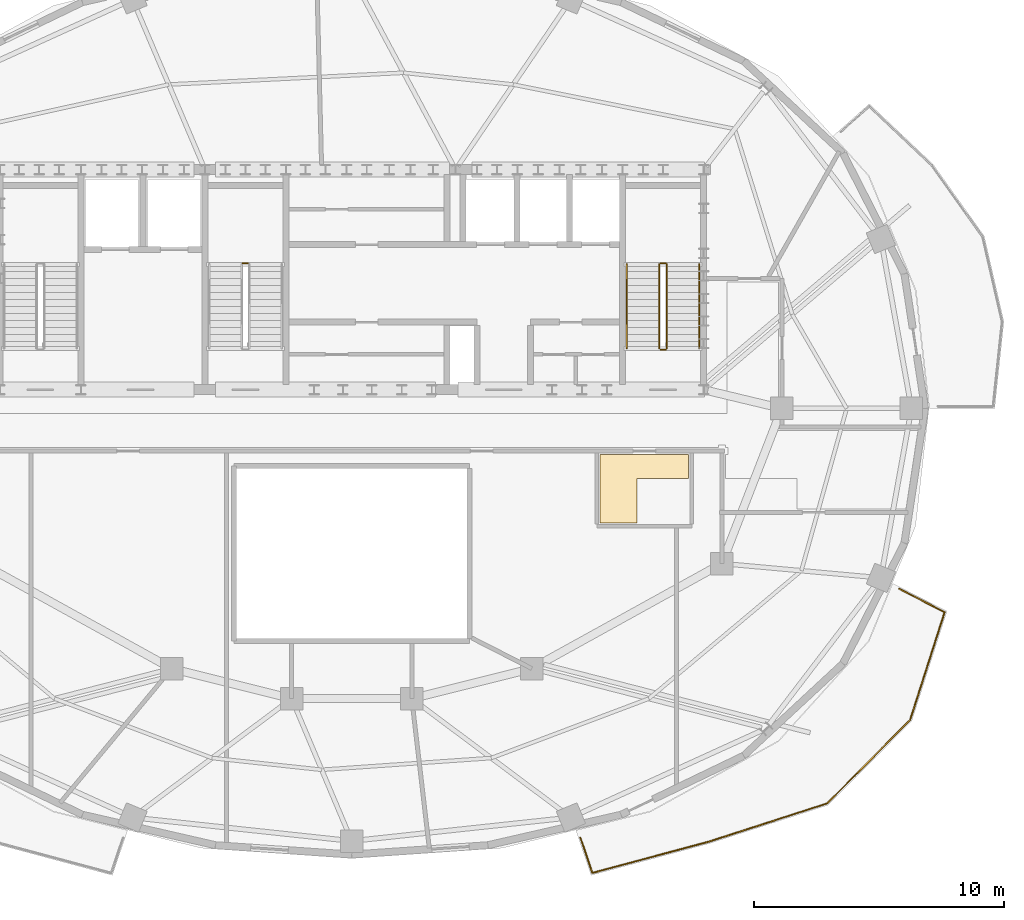
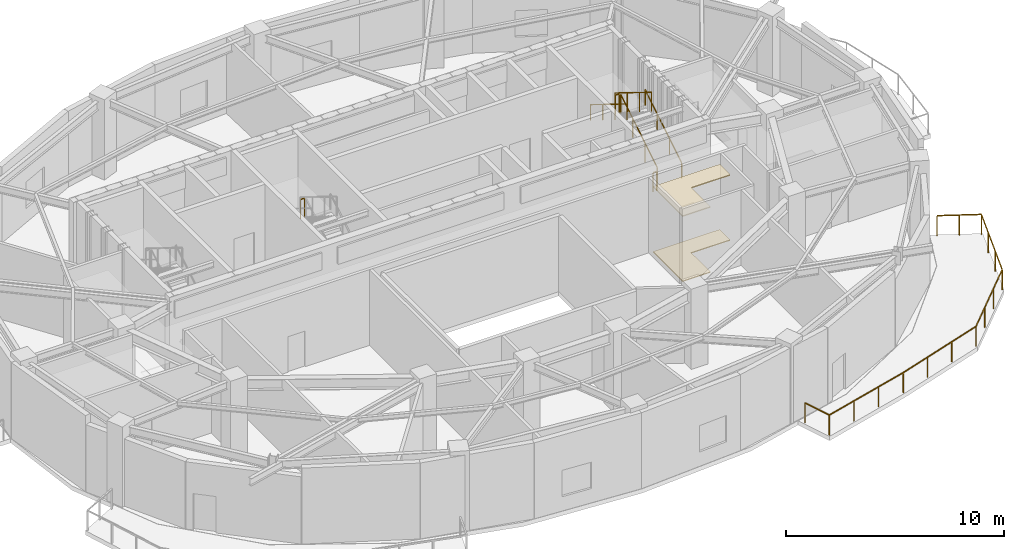
# One storey, part 8 of 9: 8 railings, 2 coverings.
"""IFC4 building model written with IfcOpenShell, lengths in metres."""

from ifc_helpers import new_model, si_unit, direction, frame, origin, origin_2d, place, context, subcontext, project, spatial, polyline, rectangle, outline, extrude, material, layer, layer_set, type_object, element, save


model = new_model("IFC4")

# Units and contexts
model_context = context("Model", 3, precision=1e-05, world=origin(), true_north=direction((0.0, 1.0)))
body_context = subcontext(model_context, "Body", "Model", "MODEL_VIEW")
ifc_project = project(units=[si_unit("LENGTHUNIT", "METRE"), si_unit("AREAUNIT", "SQUARE_METRE"), si_unit("VOLUMEUNIT", "CUBIC_METRE"), si_unit("PLANEANGLEUNIT", "RADIAN"), si_unit("MASSUNIT", "GRAM", prefix="KILO")], contexts=[model_context])

# Site, building, storey
site_placement = place(None, origin())
site = spatial("IfcSite", under=ifc_project, at=site_placement, CompositionType="ELEMENT")
building_placement = place(site_placement, origin())
building = spatial("IfcBuilding", under=site, at=building_placement, Name="Haldorwick Loom Tower", CompositionType="ELEMENT")
storey_placement = place(building_placement, frame((0.0, 0.0, 277.5)))
storey = spatial("IfcBuildingStorey", under=building, at=storey_placement, Name="L75", CompositionType="ELEMENT", Elevation=277.5)

# Coverings
ifc_material_1 = material(Name="Mineral Fibre Acoustic Ceiling Tile")
ifc_layer_1 = layer(ifc_material_1, 0.054931640625, Name="Mineral Fibre Acoustic Ceiling Tile")
ifc_layer_set_1 = layer_set([ifc_layer_1], Name="Mineral Fibre Acoustic Ceiling Tile")
covering_type_1 = type_object("IfcCoveringType", Name="ARC-COV-CEIL2", PredefinedType="CEILING", material=ifc_layer_set_1)
covering_1_placement = place(storey_placement, frame((0.0, 0.0, 3.64501953125)))
element("IfcCovering", 1, at=covering_1_placement, inside=storey, type_object=covering_type_1, Name="L75 Acoustic Suspended Ceiling 2", PredefinedType="CEILING", context=body_context, shape_type="SweptSolid", body=[
    extrude(outline(polyline([(45.929931640625, 24.159912109375), (45.929931640625, 21.429931640625), (47.39990234375, 21.429931640625), (47.39990234375, 23.199951171875), (49.469970703125, 23.199951171875), (49.469970703125, 24.159912109375), (45.929931640625, 24.159912109375)])), origin(), (0.0, 0.0, 1.0), 0.054931640625),
])
ifc_material_2 = material(Name="Polished Aggregate Terrazzo Finish")
ifc_layer_2 = layer(ifc_material_2, 0.044921875, Name="Polished Aggregate Terrazzo Finish")
ifc_layer_set_2 = layer_set([ifc_layer_2], Name="Polished Aggregate Terrazzo Finish")
covering_type_2 = type_object("IfcCoveringType", Name="ARC-COV-FLOOR2", PredefinedType="FLOORING", material=ifc_layer_set_2)
covering_2_placement = place(storey_placement, origin())
element("IfcCovering", 2, at=covering_2_placement, inside=storey, type_object=covering_type_2, Name="L75 Floor Finish 2", PredefinedType="FLOORING", context=body_context, shape_type="SweptSolid", body=[
    extrude(outline(polyline([(45.929931640625, 24.159912109375), (45.929931640625, 21.429931640625), (47.39990234375, 21.429931640625), (47.39990234375, 23.199951171875), (49.469970703125, 23.199951171875), (49.469970703125, 24.159912109375), (45.929931640625, 24.159912109375)])), origin(), (0.0, 0.0, 1.0), 0.044921875),
])

# Railings
ifc_material_3 = material(Name="Galvanized Steel CSA G40.21 350W", Category="steel")
railing_type_1 = type_object("IfcRailingType", Name="ARC-RLG-BAL115", PredefinedType="BALUSTRADE", material=ifc_material_3)
railing_1_placement = place(storey_placement, frame((57.895751953125, 18.783447265625, 0.0)))
element("IfcRailing", 3, at=railing_1_placement, inside=storey, type_object=railing_type_1, Name="L75 Outdoor Terrace Guardrail SLB-L75-BAL_SE-1", PredefinedType="BALUSTRADE", context=body_context, shape_type="SweptSolid", body=[
    extrude(rectangle(XDim=0.048095703125, YDim=0.048095703125, at=origin_2d()), frame((0.0, 0.0, 1.1259765625), z_axis=(0.890020821912, -0.455919879544, 0.0), x_axis=(0.455919879544, 0.890020821912, 0.0)), (0.0, 0.0, 1.0), 2.036376953125),
    extrude(rectangle(XDim=0.048095703125, YDim=0.048095703125, at=origin_2d()), frame((1.8125, -0.928466796875, 1.1259765625), z_axis=(-0.30559000115, -0.952163195674, 0.0), x_axis=(0.952163195674, -0.30559000115, 0.0)), (0.0, 0.0, 1.0), 4.525146484375),
    extrude(rectangle(XDim=0.048095703125, YDim=0.048095703125, at=origin_2d()), frame((0.4296875, -5.237060546875, 1.1259765625), z_axis=(-0.704897291713, -0.709309388163, 0.0), x_axis=(0.709309388163, -0.704897291713, 0.0)), (0.0, 0.0, 1.0), 4.703369140625),
    extrude(rectangle(XDim=0.048095703125, YDim=0.048095703125, at=origin_2d()), frame((-2.8857421875, -8.5732421875, 1.1259765625), z_axis=(-0.951479084086, -0.307713426011, 0.0), x_axis=(0.307713426011, -0.951479084086, 0.0)), (0.0, 0.0, 1.0), 4.988037109375),
    extrude(rectangle(XDim=0.048095703125, YDim=0.048095703125, at=origin_2d()), frame((-7.6318359375, -10.108154296875, 1.1259765625), z_axis=(-0.965840976941, -0.259135499808, 0.0), x_axis=(0.259135499808, -0.965840976941, 0.0)), (0.0, 0.0, 1.0), 4.806884765625),
    extrude(rectangle(XDim=0.048095703125, YDim=0.048095703125, at=origin_2d()), frame((-12.2744140625, -11.353759765625, 1.1259765625), z_axis=(-0.321946971986, 0.946757702493, 0.0), x_axis=(-0.946757702493, -0.321946971986, 0.0)), (0.0, 0.0, 1.0), 1.484130859375),
    extrude(rectangle(XDim=0.0419921875, YDim=0.0419921875, at=origin_2d()), origin(), (0.0, 0.0, 1.0), 1.101806640625),
    extrude(rectangle(XDim=0.0419921875, YDim=0.0419921875, at=origin_2d()), frame((0.90625, -0.46435546875, 0.0)), (0.0, 0.0, 1.0), 1.101806640625),
    extrude(rectangle(XDim=0.0419921875, YDim=0.0419921875, at=origin_2d()), frame((1.8125, -0.928466796875, 0.0)), (0.0, 0.0, 1.0), 1.101806640625),
    extrude(rectangle(XDim=0.0419921875, YDim=0.0419921875, at=origin_2d()), frame((1.3515625, -2.36474609375, 0.0)), (0.0, 0.0, 1.0), 1.101806640625),
    extrude(rectangle(XDim=0.0419921875, YDim=0.0419921875, at=origin_2d()), frame((0.890625, -3.80078125, 0.0)), (0.0, 0.0, 1.0), 1.101806640625),
    extrude(rectangle(XDim=0.0419921875, YDim=0.0419921875, at=origin_2d()), frame((0.4296875, -5.237060546875, 0.0)), (0.0, 0.0, 1.0), 1.101806640625),
    extrude(rectangle(XDim=0.0419921875, YDim=0.0419921875, at=origin_2d()), frame((-0.675537109375, -6.34912109375, 0.0)), (0.0, 0.0, 1.0), 1.101806640625),
    extrude(rectangle(XDim=0.0419921875, YDim=0.0419921875, at=origin_2d()), frame((-1.780517578125, -7.461181640625, 0.0)), (0.0, 0.0, 1.0), 1.101806640625),
    extrude(rectangle(XDim=0.0419921875, YDim=0.0419921875, at=origin_2d()), frame((-2.8857421875, -8.5732421875, 0.0)), (0.0, 0.0, 1.0), 1.101806640625),
    extrude(rectangle(XDim=0.0419921875, YDim=0.0419921875, at=origin_2d()), frame((-4.4677734375, -9.0849609375, 0.0)), (0.0, 0.0, 1.0), 1.101806640625),
    extrude(rectangle(XDim=0.0419921875, YDim=0.0419921875, at=origin_2d()), frame((-6.0498046875, -9.596435546875, 0.0)), (0.0, 0.0, 1.0), 1.101806640625),
    extrude(rectangle(XDim=0.0419921875, YDim=0.0419921875, at=origin_2d()), frame((-7.6318359375, -10.108154296875, 0.0)), (0.0, 0.0, 1.0), 1.101806640625),
    extrude(rectangle(XDim=0.0419921875, YDim=0.0419921875, at=origin_2d()), frame((-9.179443359375, -10.5234375, 0.0)), (0.0, 0.0, 1.0), 1.101806640625),
    extrude(rectangle(XDim=0.0419921875, YDim=0.0419921875, at=origin_2d()), frame((-10.726806640625, -10.9384765625, 0.0)), (0.0, 0.0, 1.0), 1.101806640625),
    extrude(rectangle(XDim=0.0419921875, YDim=0.0419921875, at=origin_2d()), frame((-12.2744140625, -11.353759765625, 0.0)), (0.0, 0.0, 1.0), 1.101806640625),
    extrude(rectangle(XDim=0.0419921875, YDim=0.0419921875, at=origin_2d()), frame((-12.752197265625, -9.94873046875, 0.0)), (0.0, 0.0, 1.0), 1.101806640625),
])
ifc_material_4 = material(Name="Steel CSA G40.21 350W", Category="steel")
railing_type_2 = type_object("IfcRailingType", Name="ARC-RLG-GUARD112", PredefinedType="GUARDRAIL", material=ifc_material_4)
railing_2_placement = place(storey_placement, frame((48.60009765625, 28.39990234375, 0.173095703125)))
element("IfcRailing", 4, at=railing_2_placement, inside=storey, type_object=railing_type_2, Name="L75 ST-02 stair guard 1", PredefinedType="GUARDRAIL", context=body_context, shape_type="SweptSolid", body=[
    extrude(rectangle(XDim=0.048095703125, YDim=0.048095703125, at=origin_2d()), frame((0.0, 0.0, 1.076171875), z_axis=(0.0, 0.850623216509, 0.525775754039), x_axis=(-1.0, 0.0, 0.0)), (0.0, 0.0, 1.0), 3.9501953125),
    extrude(rectangle(XDim=0.0419921875, YDim=0.0419921875, at=origin_2d()), origin(), (0.0, 0.0, 1.0), 1.052001953125),
    extrude(rectangle(XDim=0.0419921875, YDim=0.0419921875, at=origin_2d()), frame((0.0, 1.1201171875, 0.6923828125)), (0.0, 0.0, 1.0), 1.052001953125),
    extrude(rectangle(XDim=0.0419921875, YDim=0.0419921875, at=origin_2d()), frame((0.0, 2.239990234375, 1.384521484375)), (0.0, 0.0, 1.0), 1.052001953125),
    extrude(rectangle(XDim=0.0419921875, YDim=0.0419921875, at=origin_2d()), frame((0.0, 3.360107421875, 2.076904296875)), (0.0, 0.0, 1.0), 1.052001953125),
])
railing_3_placement = place(storey_placement, frame((48.550048828125, 31.81005859375, 2.25)))
element("IfcRailing", 5, at=railing_3_placement, inside=storey, type_object=railing_type_2, Name="L75 ST-02 stair guard 2", PredefinedType="GUARDRAIL", context=body_context, shape_type="SweptSolid", body=[
    extrude(rectangle(XDim=0.048095703125, YDim=0.048095703125, at=origin_2d()), frame((0.0, 0.0, 1.076171875), z_axis=(-1.0, 0.0, 0.0), x_axis=(0.0, -1.0, 0.0)), (0.0, 0.0, 1.0), 0.199951171875),
    extrude(rectangle(XDim=0.0419921875, YDim=0.0419921875, at=origin_2d()), origin(), (0.0, 0.0, 1.0), 1.052001953125),
    extrude(rectangle(XDim=0.0419921875, YDim=0.0419921875, at=origin_2d()), frame((-0.199951171875, 0.0, 0.0)), (0.0, 0.0, 1.0), 1.052001953125),
])
railing_4_placement = place(storey_placement, frame((48.300048828125, 31.760009765625, 2.423095703125)))
element("IfcRailing", 6, at=railing_4_placement, inside=storey, type_object=railing_type_2, Name="L75 ST-02 stair guard 3", PredefinedType="GUARDRAIL", context=body_context, shape_type="SweptSolid", body=[
    extrude(rectangle(XDim=0.048095703125, YDim=0.048095703125, at=origin_2d()), frame((0.0, 0.0, 1.076171875), z_axis=(0.0, -0.850623216509, 0.525775754039), x_axis=(1.0, 0.0, 0.0)), (0.0, 0.0, 1.0), 3.9501953125),
    extrude(rectangle(XDim=0.0419921875, YDim=0.0419921875, at=origin_2d()), origin(), (0.0, 0.0, 1.0), 1.052001953125),
    extrude(rectangle(XDim=0.0419921875, YDim=0.0419921875, at=origin_2d()), frame((0.0, -1.1201171875, 0.6923828125)), (0.0, 0.0, 1.0), 1.052001953125),
    extrude(rectangle(XDim=0.0419921875, YDim=0.0419921875, at=origin_2d()), frame((0.0, -2.239990234375, 1.384521484375)), (0.0, 0.0, 1.0), 1.052001953125),
    extrude(rectangle(XDim=0.0419921875, YDim=0.0419921875, at=origin_2d()), frame((0.0, -3.360107421875, 2.076904296875)), (0.0, 0.0, 1.0), 1.052001953125),
])
railing_5_placement = place(storey_placement, frame((48.550048828125, 28.35009765625, 0.0)))
element("IfcRailing", 7, at=railing_5_placement, inside=storey, type_object=railing_type_2, Name="L75 ST-02 stair guard 4", PredefinedType="GUARDRAIL", context=body_context, shape_type="SweptSolid", body=[
    extrude(rectangle(XDim=0.048095703125, YDim=0.048095703125, at=origin_2d()), frame((0.0, 0.0, 1.076171875), z_axis=(-1.0, 0.0, 0.0), x_axis=(0.0, -1.0, 0.0)), (0.0, 0.0, 1.0), 0.199951171875),
    extrude(rectangle(XDim=0.0419921875, YDim=0.0419921875, at=origin_2d()), origin(), (0.0, 0.0, 1.0), 1.052001953125),
    extrude(rectangle(XDim=0.0419921875, YDim=0.0419921875, at=origin_2d()), frame((-0.199951171875, 0.0, 0.0)), (0.0, 0.0, 1.0), 1.052001953125),
])
railing_6_placement = place(storey_placement, frame((31.85009765625, 31.81005859375, 2.25)))
element("IfcRailing", 8, at=railing_6_placement, inside=storey, type_object=railing_type_2, Name="L75 ST-03 stair guard 2", PredefinedType="GUARDRAIL", context=body_context, shape_type="SweptSolid", body=[
    extrude(rectangle(XDim=0.048095703125, YDim=0.048095703125, at=origin_2d()), frame((0.0, 0.0, 1.076171875), z_axis=(-1.0, 0.0, 0.0), x_axis=(0.0, -1.0, 0.0)), (0.0, 0.0, 1.0), 0.2001953125),
    extrude(rectangle(XDim=0.0419921875, YDim=0.0419921875, at=origin_2d()), origin(), (0.0, 0.0, 1.0), 1.052001953125),
    extrude(rectangle(XDim=0.0419921875, YDim=0.0419921875, at=origin_2d()), frame((-0.2001953125, 0.0, 0.0)), (0.0, 0.0, 1.0), 1.052001953125),
])
railing_type_3 = type_object("IfcRailingType", Name="ARC-RLG-HAND092", PredefinedType="HANDRAIL", material=ifc_material_4)
railing_7_placement = place(storey_placement, frame((49.89990234375, 28.39990234375, 0.173095703125)))
element("IfcRailing", 9, at=railing_7_placement, inside=storey, type_object=railing_type_3, Name="L75 ST-02 stair handrail 1", PredefinedType="HANDRAIL", context=body_context, shape_type="SweptSolid", body=[
    extrude(rectangle(XDim=0.048095703125, YDim=0.048095703125, at=origin_2d()), frame((0.0, 0.0, 0.8759765625), z_axis=(0.0, 0.850623216509, 0.525775754039), x_axis=(-1.0, 0.0, 0.0)), (0.0, 0.0, 1.0), 3.9501953125),
    extrude(rectangle(XDim=0.0419921875, YDim=0.0419921875, at=origin_2d()), origin(), (0.0, 0.0, 1.0), 0.851806640625),
    extrude(rectangle(XDim=0.0419921875, YDim=0.0419921875, at=origin_2d()), frame((0.0, 1.1201171875, 0.6923828125)), (0.0, 0.0, 1.0), 0.851806640625),
    extrude(rectangle(XDim=0.0419921875, YDim=0.0419921875, at=origin_2d()), frame((0.0, 2.239990234375, 1.384521484375)), (0.0, 0.0, 1.0), 0.851806640625),
    extrude(rectangle(XDim=0.0419921875, YDim=0.0419921875, at=origin_2d()), frame((0.0, 3.360107421875, 2.076904296875)), (0.0, 0.0, 1.0), 0.851806640625),
])
railing_8_placement = place(storey_placement, frame((47.0, 31.760009765625, 2.423095703125)))
element("IfcRailing", 10, at=railing_8_placement, inside=storey, type_object=railing_type_3, Name="L75 ST-02 stair handrail 2", PredefinedType="HANDRAIL", context=body_context, shape_type="SweptSolid", body=[
    extrude(rectangle(XDim=0.048095703125, YDim=0.048095703125, at=origin_2d()), frame((0.0, 0.0, 0.8759765625), z_axis=(0.0, -0.850623216509, 0.525775754039), x_axis=(1.0, 0.0, 0.0)), (0.0, 0.0, 1.0), 3.9501953125),
    extrude(rectangle(XDim=0.0419921875, YDim=0.0419921875, at=origin_2d()), origin(), (0.0, 0.0, 1.0), 0.851806640625),
    extrude(rectangle(XDim=0.0419921875, YDim=0.0419921875, at=origin_2d()), frame((0.0, -1.1201171875, 0.6923828125)), (0.0, 0.0, 1.0), 0.851806640625),
    extrude(rectangle(XDim=0.0419921875, YDim=0.0419921875, at=origin_2d()), frame((0.0, -2.239990234375, 1.384521484375)), (0.0, 0.0, 1.0), 0.851806640625),
    extrude(rectangle(XDim=0.0419921875, YDim=0.0419921875, at=origin_2d()), frame((0.0, -3.360107421875, 2.076904296875)), (0.0, 0.0, 1.0), 0.851806640625),
])

save(model, "model.ifc")
